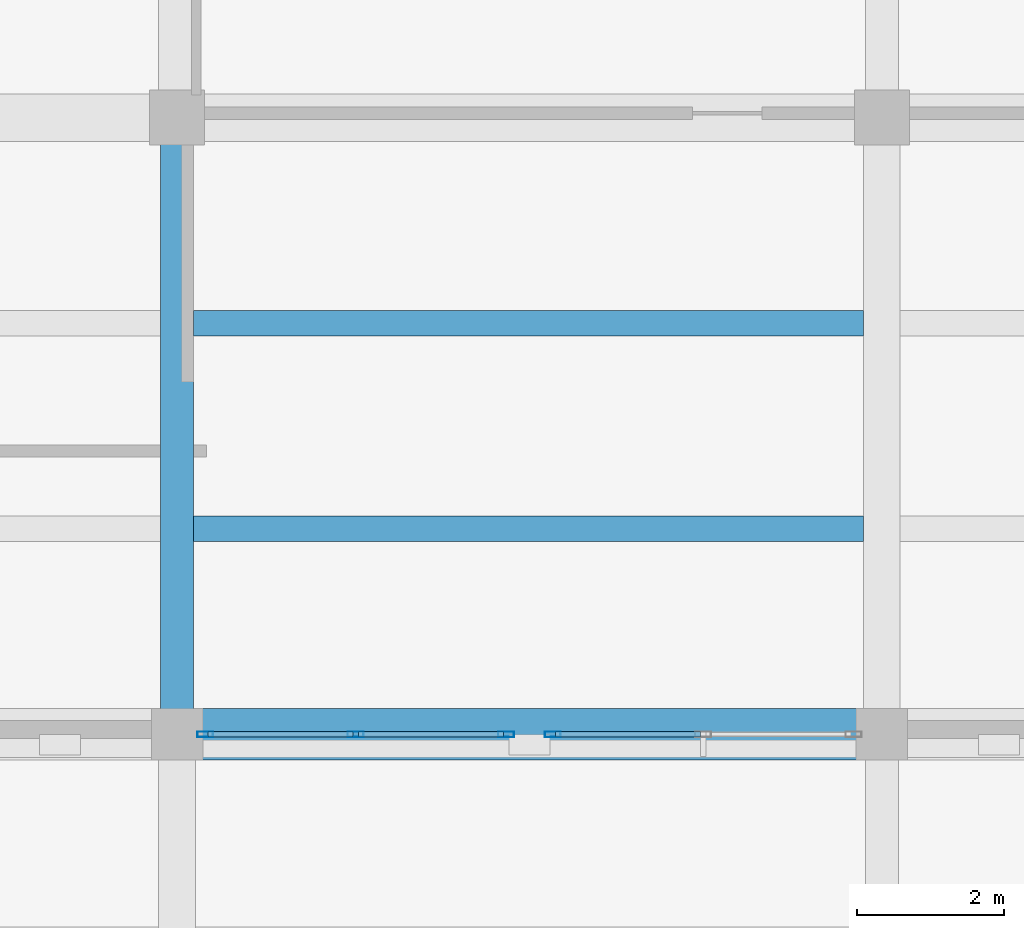
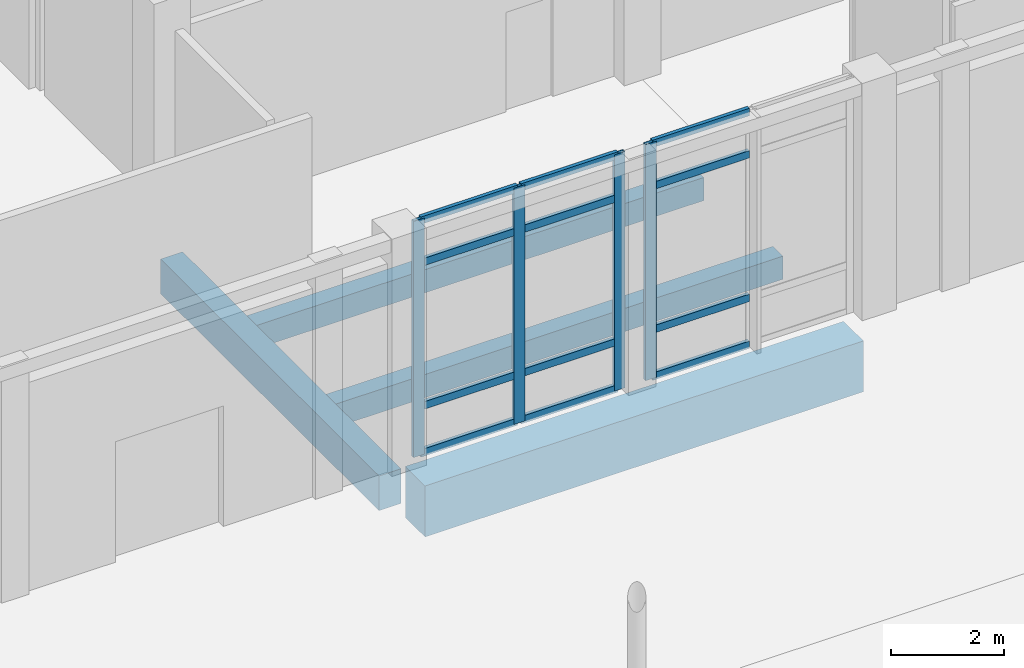
# One storey, part 26 of 71: 16 members, 4 beams, 2 elements without a shape of their own.
"""IFC4 building model written with IfcOpenShell, lengths in metres."""

from ifc_helpers import new_model, si_unit, direction, frame, origin, origin_2d, place, context, subcontext, project, spatial, rectangle, hollow_rectangle, extrude, material, layer, layer_set, material_profile, profile_set, type_object, element, aggregate, save


model = new_model("IFC4")

# Units and contexts
model_context = context("Model", 3, precision=1e-05, world=origin(), true_north=direction((0.0, 1.0)))
body_context = subcontext(model_context, "Body", "Model", "MODEL_VIEW")
ifc_project = project(units=[si_unit("LENGTHUNIT", "METRE"), si_unit("AREAUNIT", "SQUARE_METRE"), si_unit("VOLUMEUNIT", "CUBIC_METRE"), si_unit("PLANEANGLEUNIT", "RADIAN"), si_unit("MASSUNIT", "GRAM", prefix="KILO")], contexts=[model_context])

# Site, building, storey
site_placement = place(None, origin())
site = spatial("IfcSite", under=ifc_project, at=site_placement, CompositionType="ELEMENT")
building_placement = place(site_placement, origin())
building = spatial("IfcBuilding", under=site, at=building_placement, Name="Lornevale Opera House", CompositionType="ELEMENT")
storey_placement = place(building_placement, origin())
storey = spatial("IfcBuildingStorey", under=building, at=storey_placement, Name="L01", CompositionType="ELEMENT", Elevation=0.0)

# Beams
ifc_material_1 = material(Name="Concrete 35 MPa (CSA A23.1 N)", Category="concrete")
ifc_material_profile_1 = material_profile(ifc_material_1, rectangle(XDim=0.449951171875, YDim=0.75, at=origin_2d()), Name="RC450x750")
ifc_profile_set_1 = profile_set([ifc_material_profile_1], Name="Concrete 35 MPa (CSA A23.1 N)")
beam_type_1 = type_object("IfcBeamType", Name="Concrete Floor Beam 450x750", PredefinedType="USERDEFINED", material=ifc_profile_set_1)
beam_1_placement = place(storey_placement, frame((105.60009765625, 17.125, -0.81494140625), z_axis=(0.0, 1.0, 0.0), x_axis=(-1.0, 0.0, 0.0)))
element("IfcBeam", 1, at=beam_1_placement, inside=storey, type_object=beam_type_1, Name="Concrete Floor Beam 450x750 1215", ObjectType="GIRDER", PredefinedType="USERDEFINED", context=body_context, shape_type="SweptSolid", body=[
    extrude(rectangle(XDim=0.449951171875, YDim=0.75, at=origin_2d()), origin(), (0.0, 0.0, 1.0), 7.72509765625),
])
ifc_material_2 = material(Name="Concrete 40 MPa (CSA A23.1 C-1)", Category="concrete")
ifc_material_profile_2 = material_profile(ifc_material_2, rectangle(XDim=0.699951171875, YDim=1.10009765625, at=origin_2d()), Name="RC700x1100")
ifc_profile_set_2 = profile_set([ifc_material_profile_2], Name="Concrete 40 MPa (CSA A23.1 C-1)")
beam_type_2 = type_object("IfcBeamType", Name="Concrete Primary Girder 700x1100", PredefinedType="USERDEFINED", material=ifc_profile_set_2)
beam_2_placement = place(storey_placement, frame((105.925048828125, 16.800048828125, -0.989990234375), z_axis=(1.0, 0.0, 0.0), x_axis=(0.0, 1.0, 0.0)))
element("IfcBeam", 2, at=beam_2_placement, inside=storey, type_object=beam_type_2, Name="Concrete Primary Girder 700x1100 0883", ObjectType="GIRDER", PredefinedType="USERDEFINED", context=body_context, shape_type="SweptSolid", body=[
    extrude(rectangle(XDim=0.699951171875, YDim=1.10009765625, at=origin_2d()), origin(), (0.0, 0.0, 1.0), 8.949951171875),
])
ifc_material_profile_3 = material_profile(ifc_material_1, rectangle(XDim=0.35009765625, YDim=0.5, at=origin_2d()), Name="RC350x500")
ifc_profile_set_3 = profile_set([ifc_material_profile_3], Name="Concrete 35 MPa (CSA A23.1 N)")
beam_type_3 = type_object("IfcBeamType", Name="Concrete Secondary Rib 350x500", PredefinedType="JOIST", material=ifc_profile_set_3)
for number, where, z_axis, x_axis, name in (
    (3, (105.824951171875, 19.60009765625, -0.68994140625), (1.0, 0.0, 0.0), (0.0, 1.0, 0.0), "Concrete Secondary Rib 350x500 1569"),
    (4, (105.824951171875, 22.39990234375, -0.68994140625), (1.0, 0.0, 0.0), (0.0, 1.0, 0.0), "Concrete Secondary Rib 350x500 1570"),
):
    element("IfcBeam", number, at=place(storey_placement, frame(where, z_axis=z_axis, x_axis=x_axis)), inside=storey, type_object=beam_type_3, Name=name, PredefinedType="JOIST", context=body_context, shape_type="SweptSolid", body=[
        extrude(rectangle(XDim=0.35009765625, YDim=0.5, at=origin_2d()), origin(), (0.0, 0.0, 1.0), 9.125),
    ])

# Curtain wall, member
ifc_material_3 = material(Name="Anodized Oxide-Green Aluminium Framing", Category="aluminium")
ifc_layer = layer(ifc_material_3, 0.215087890625)
ifc_layer_set = layer_set([ifc_layer], Name="Anodized Oxide-Green Aluminium Framing")
curtain_wall_type = type_object("IfcCurtainWallType", Name="Grand Foyer Curtain Wall M2000", PredefinedType="NOTDEFINED", material=ifc_layer_set)
curtain_wall_1_placement = place(storey_placement, origin())
curtain_wall_1 = element("IfcCurtainWall", 5, at=curtain_wall_1_placement, inside=storey, type_object=curtain_wall_type, Name="Grand Foyer Curtain Wall M2000 CW-017", PredefinedType="NOTDEFINED")
ifc_material_profile_4 = material_profile(ifc_material_3, hollow_rectangle(XDim=0.074951171875, YDim=0.219970703125, WallThickness=0.0048828125, at=origin_2d()), Name="ALU75x220x5")
ifc_profile_set_4 = profile_set([ifc_material_profile_4], Name="Anodized Oxide-Green Aluminium Framing")
member_type_1 = type_object("IfcMemberType", Name="Curtain Wall Mullion 75x220", PredefinedType="MULLION", material=ifc_profile_set_4)
member_1_placement = place(storey_placement, frame((110.717529296875, 16.800048828125, 0.0), z_axis=(0.0, 0.0, 1.0), x_axis=(0.0, -1.0, 0.0)))
member_1 = element("IfcMember", 6, at=member_1_placement, type_object=member_type_1, Name="Curtain Wall Mullion 75x220 CW0275", PredefinedType="MULLION", context=body_context, shape_type="SweptSolid", body=[
    extrude(hollow_rectangle(XDim=0.074951171875, YDim=0.219970703125, WallThickness=0.0048828125, at=origin_2d()), origin(), (0.0, 0.0, 1.0), 5.10009765625),
])

# Curtain wall, members
curtain_wall_2_placement = place(storey_placement, origin())
curtain_wall_2 = element("IfcCurtainWall", 7, at=curtain_wall_2_placement, inside=storey, type_object=curtain_wall_type, Name="Grand Foyer Curtain Wall M2000 CW-018", PredefinedType="NOTDEFINED")
member_2_placement = place(storey_placement, frame((110.08251953125, 16.800048828125, 0.0), z_axis=(0.0, 0.0, 1.0), x_axis=(0.0, -1.0, 0.0)))
member_2 = element("IfcMember", 8, at=member_2_placement, type_object=member_type_1, Name="Curtain Wall Mullion 75x220 CW0290", PredefinedType="MULLION", context=body_context, shape_type="SweptSolid", body=[
    extrude(hollow_rectangle(XDim=0.074951171875, YDim=0.219970703125, WallThickness=0.0048828125, at=origin_2d()), origin(), (0.0, 0.0, 1.0), 5.10009765625),
])
member_3_placement = place(storey_placement, frame((108.032958984375, 16.800048828125, 0.0), z_axis=(0.0, 0.0, 1.0), x_axis=(0.0, -1.0, 0.0)))
member_3 = element("IfcMember", 9, at=member_3_placement, type_object=member_type_1, Name="Curtain Wall Mullion 75x220 CW0291", PredefinedType="MULLION", context=body_context, shape_type="SweptSolid", body=[
    extrude(hollow_rectangle(XDim=0.074951171875, YDim=0.219970703125, WallThickness=0.0048828125, at=origin_2d()), origin(), (0.0, 0.0, 1.0), 5.10009765625),
])
member_4_placement = place(storey_placement, frame((105.9833984375, 16.800048828125, 0.0), z_axis=(0.0, 0.0, 1.0), x_axis=(0.0, -1.0, 0.0)))
member_4 = element("IfcMember", 10, at=member_4_placement, type_object=member_type_1, Name="Curtain Wall Mullion 75x220 CW0292", PredefinedType="MULLION", context=body_context, shape_type="SweptSolid", body=[
    extrude(hollow_rectangle(XDim=0.074951171875, YDim=0.219970703125, WallThickness=0.0048828125, at=origin_2d()), origin(), (0.0, 0.0, 1.0), 5.10009765625),
])

# Member
ifc_material_profile_5 = material_profile(ifc_material_3, hollow_rectangle(XDim=0.074951171875, YDim=0.159912109375, WallThickness=0.0048828125, at=origin_2d()), Name="ALU75x160x5")
ifc_profile_set_5 = profile_set([ifc_material_profile_5], Name="Anodized Oxide-Green Aluminium Framing")
member_type_2 = type_object("IfcMemberType", Name="Curtain Wall Transom 75x160", PredefinedType="USERDEFINED", material=ifc_profile_set_5)
member_5_placement = place(storey_placement, frame((112.7294921875, 16.800048828125, 0.03759765625), z_axis=(-1.0, 0.0, 0.0), x_axis=(0.0, -1.0, 0.0)))
member_5 = element("IfcMember", 11, at=member_5_placement, type_object=member_type_2, Name="Curtain Wall Transom 75x160 CW0283", ObjectType="TRANSOM", PredefinedType="USERDEFINED", context=body_context, shape_type="SweptSolid", body=[
    extrude(hollow_rectangle(XDim=0.074951171875, YDim=0.159912109375, WallThickness=0.0048828125, at=origin_2d()), origin(), (0.0, 0.0, 1.0), 1.974609375),
])

member_6_placement = place(storey_placement, frame((112.7294921875, 16.800048828125, 1.050048828125), z_axis=(-1.0, 0.0, 0.0), x_axis=(0.0, -1.0, 0.0)))
member_6 = element("IfcMember", 12, at=member_6_placement, type_object=member_type_2, Name="Curtain Wall Transom 75x160 CW0284", ObjectType="TRANSOM", PredefinedType="USERDEFINED", context=body_context, shape_type="SweptSolid", body=[
    extrude(hollow_rectangle(XDim=0.074951171875, YDim=0.159912109375, WallThickness=0.0048828125, at=origin_2d()), origin(), (0.0, 0.0, 1.0), 1.974609375),
])

member_7_placement = place(storey_placement, frame((112.7294921875, 16.800048828125, 4.14990234375), z_axis=(-1.0, 0.0, 0.0), x_axis=(0.0, -1.0, 0.0)))
member_7 = element("IfcMember", 13, at=member_7_placement, type_object=member_type_2, Name="Curtain Wall Transom 75x160 CW0285", ObjectType="TRANSOM", PredefinedType="USERDEFINED", context=body_context, shape_type="SweptSolid", body=[
    extrude(hollow_rectangle(XDim=0.074951171875, YDim=0.159912109375, WallThickness=0.0048828125, at=origin_2d()), origin(), (0.0, 0.0, 1.0), 1.974609375),
])

member_8_placement = place(storey_placement, frame((112.7294921875, 16.800048828125, 5.0625), z_axis=(-1.0, 0.0, 0.0), x_axis=(0.0, -1.0, 0.0)))
member_8 = element("IfcMember", 14, at=member_8_placement, type_object=member_type_2, Name="Curtain Wall Transom 75x160 CW0286", ObjectType="TRANSOM", PredefinedType="USERDEFINED", context=body_context, shape_type="SweptSolid", body=[
    extrude(hollow_rectangle(XDim=0.074951171875, YDim=0.159912109375, WallThickness=0.0048828125, at=origin_2d()), origin(), (0.0, 0.0, 1.0), 1.974609375),
])

aggregate(curtain_wall_1, [member_1, member_5, member_6, member_7, member_8])

member_9_placement = place(storey_placement, frame((110.044921875, 16.800048828125, 0.03759765625), z_axis=(-1.0, 0.0, 0.0), x_axis=(0.0, -1.0, 0.0)))
member_9 = element("IfcMember", 15, at=member_9_placement, type_object=member_type_2, Name="Curtain Wall Transom 75x160 CW0293", ObjectType="TRANSOM", PredefinedType="USERDEFINED", context=body_context, shape_type="SweptSolid", body=[
    extrude(hollow_rectangle(XDim=0.074951171875, YDim=0.159912109375, WallThickness=0.0048828125, at=origin_2d()), origin(), (0.0, 0.0, 1.0), 1.974365234375),
])

member_10_placement = place(storey_placement, frame((110.044921875, 16.800048828125, 1.050048828125), z_axis=(-1.0, 0.0, 0.0), x_axis=(0.0, -1.0, 0.0)))
member_10 = element("IfcMember", 16, at=member_10_placement, type_object=member_type_2, Name="Curtain Wall Transom 75x160 CW0294", ObjectType="TRANSOM", PredefinedType="USERDEFINED", context=body_context, shape_type="SweptSolid", body=[
    extrude(hollow_rectangle(XDim=0.074951171875, YDim=0.159912109375, WallThickness=0.0048828125, at=origin_2d()), origin(), (0.0, 0.0, 1.0), 1.974365234375),
])

member_11_placement = place(storey_placement, frame((110.044921875, 16.800048828125, 4.14990234375), z_axis=(-1.0, 0.0, 0.0), x_axis=(0.0, -1.0, 0.0)))
member_11 = element("IfcMember", 17, at=member_11_placement, type_object=member_type_2, Name="Curtain Wall Transom 75x160 CW0295", ObjectType="TRANSOM", PredefinedType="USERDEFINED", context=body_context, shape_type="SweptSolid", body=[
    extrude(hollow_rectangle(XDim=0.074951171875, YDim=0.159912109375, WallThickness=0.0048828125, at=origin_2d()), origin(), (0.0, 0.0, 1.0), 1.974365234375),
])

member_12_placement = place(storey_placement, frame((110.044921875, 16.800048828125, 5.0625), z_axis=(-1.0, 0.0, 0.0), x_axis=(0.0, -1.0, 0.0)))
member_12 = element("IfcMember", 18, at=member_12_placement, type_object=member_type_2, Name="Curtain Wall Transom 75x160 CW0296", ObjectType="TRANSOM", PredefinedType="USERDEFINED", context=body_context, shape_type="SweptSolid", body=[
    extrude(hollow_rectangle(XDim=0.074951171875, YDim=0.159912109375, WallThickness=0.0048828125, at=origin_2d()), origin(), (0.0, 0.0, 1.0), 1.974365234375),
])

member_13_placement = place(storey_placement, frame((107.99560546875, 16.800048828125, 0.03759765625), z_axis=(-1.0, 0.0, 0.0), x_axis=(0.0, -1.0, 0.0)))
member_13 = element("IfcMember", 19, at=member_13_placement, type_object=member_type_2, Name="Curtain Wall Transom 75x160 CW0300", ObjectType="TRANSOM", PredefinedType="USERDEFINED", context=body_context, shape_type="SweptSolid", body=[
    extrude(hollow_rectangle(XDim=0.074951171875, YDim=0.159912109375, WallThickness=0.0048828125, at=origin_2d()), origin(), (0.0, 0.0, 1.0), 1.974609375),
])

member_14_placement = place(storey_placement, frame((107.99560546875, 16.800048828125, 1.050048828125), z_axis=(-1.0, 0.0, 0.0), x_axis=(0.0, -1.0, 0.0)))
member_14 = element("IfcMember", 20, at=member_14_placement, type_object=member_type_2, Name="Curtain Wall Transom 75x160 CW0301", ObjectType="TRANSOM", PredefinedType="USERDEFINED", context=body_context, shape_type="SweptSolid", body=[
    extrude(hollow_rectangle(XDim=0.074951171875, YDim=0.159912109375, WallThickness=0.0048828125, at=origin_2d()), origin(), (0.0, 0.0, 1.0), 1.974609375),
])

member_15_placement = place(storey_placement, frame((107.99560546875, 16.800048828125, 4.14990234375), z_axis=(-1.0, 0.0, 0.0), x_axis=(0.0, -1.0, 0.0)))
member_15 = element("IfcMember", 21, at=member_15_placement, type_object=member_type_2, Name="Curtain Wall Transom 75x160 CW0302", ObjectType="TRANSOM", PredefinedType="USERDEFINED", context=body_context, shape_type="SweptSolid", body=[
    extrude(hollow_rectangle(XDim=0.074951171875, YDim=0.159912109375, WallThickness=0.0048828125, at=origin_2d()), origin(), (0.0, 0.0, 1.0), 1.974609375),
])

member_16_placement = place(storey_placement, frame((107.99560546875, 16.800048828125, 5.0625), z_axis=(-1.0, 0.0, 0.0), x_axis=(0.0, -1.0, 0.0)))
member_16 = element("IfcMember", 22, at=member_16_placement, type_object=member_type_2, Name="Curtain Wall Transom 75x160 CW0303", ObjectType="TRANSOM", PredefinedType="USERDEFINED", context=body_context, shape_type="SweptSolid", body=[
    extrude(hollow_rectangle(XDim=0.074951171875, YDim=0.159912109375, WallThickness=0.0048828125, at=origin_2d()), origin(), (0.0, 0.0, 1.0), 1.974609375),
])

aggregate(curtain_wall_2, [member_2, member_3, member_4, member_9, member_10, member_11, member_12, member_13, member_14, member_15, member_16])

save(model, "model.ifc")
